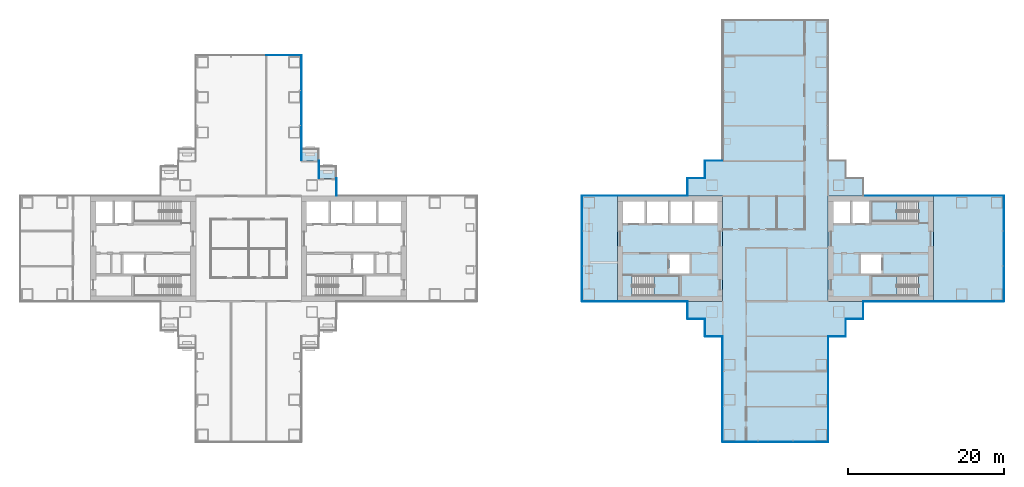
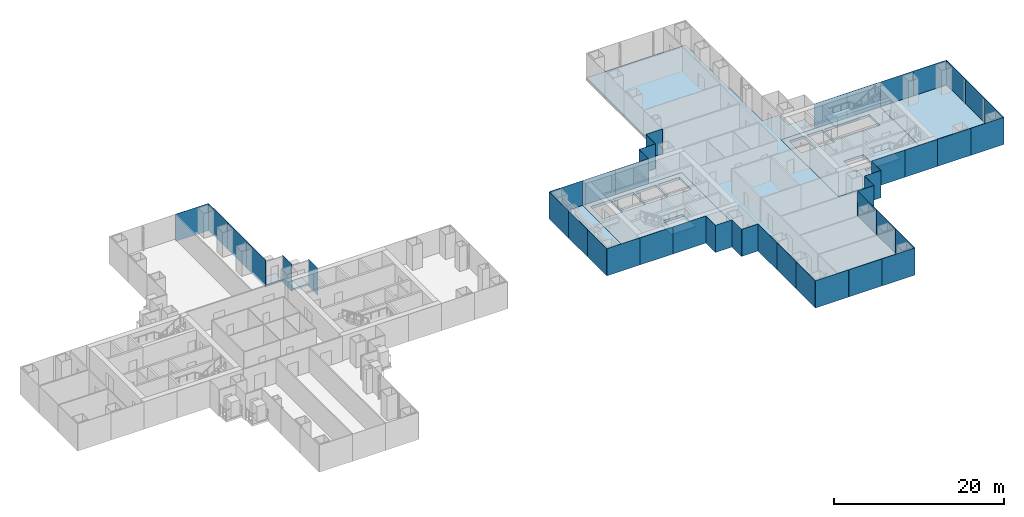
# One storey, part 11 of 21: 47 plates, 10 slabs, 22 elements without a shape of their own.
"""IFC4 building model written with IfcOpenShell, lengths in metres."""

from ifc_helpers import new_model, si_unit, direction, frame, origin, origin_2d, place, context, subcontext, project, spatial, polyline, rectangle, outline, extrude, material, layer, layer_set, type_object, element, aggregate, save


model = new_model("IFC4")

# Units and contexts
model_context = context("Model", 3, precision=1e-05, world=origin(), true_north=direction((0.0, 1.0)))
body_context = subcontext(model_context, "Body", "Model", "MODEL_VIEW")
ifc_project = project(units=[si_unit("LENGTHUNIT", "METRE"), si_unit("AREAUNIT", "SQUARE_METRE"), si_unit("VOLUMEUNIT", "CUBIC_METRE"), si_unit("PLANEANGLEUNIT", "RADIAN"), si_unit("MASSUNIT", "GRAM", prefix="KILO")], contexts=[model_context])

# Site, building, storey
site_placement = place(None, origin())
site = spatial("IfcSite", under=ifc_project, at=site_placement, CompositionType="ELEMENT")
building_placement = place(site_placement, origin())
building = spatial("IfcBuilding", under=site, at=building_placement, Name="Shamsa Quay Exchange Towers", CompositionType="ELEMENT")
storey_placement = place(building_placement, frame((0.0, 0.0, 42.0)))
storey = spatial("IfcBuildingStorey", under=building, at=storey_placement, Name="L08", CompositionType="ELEMENT", Elevation=42.0)

# Slabs
ifc_material_1 = material(Name="Precast concrete C40/50", Category="concrete")
ifc_layer_1 = layer(ifc_material_1, 0.25)
ifc_layer_set_1 = layer_set([ifc_layer_1], Name="BALCONY SLAB 250")
slab_type_1 = type_object("IfcSlabType", Name="BALCONY SLAB 250", PredefinedType="FLOOR", material=ifc_layer_set_1)
slab_1_placement = place(storey_placement, frame((0.0, 0.0, -0.25)))
element("IfcSlab", 1, at=slab_1_placement, inside=storey, type_object=slab_type_1, Name="Balcony T1-PKEN L08", PredefinedType="FLOOR", context=body_context, shape_type="SweptSolid", body=[
    extrude(outline(polyline([(-22.5, 9.0), (-24.7119140625, 9.0), (-24.7119140625, 10.550048828125), (-22.5, 10.550048828125), (-22.5, 9.0)])), origin(), (0.0, 0.0, 1.0), 0.25),
])
slab_2_placement = place(storey_placement, frame((0.0, 0.0, -0.25)))
element("IfcSlab", 2, at=slab_2_placement, inside=storey, type_object=slab_type_1, Name="Balcony T1-PKEN L08", PredefinedType="FLOOR", context=body_context, shape_type="SweptSolid", body=[
    extrude(outline(polyline([(-24.75, 11.25), (-26.9619140625, 11.25), (-26.9619140625, 12.800048828125), (-24.75, 12.800048828125), (-24.75, 11.25)])), origin(), (0.0, 0.0, 1.0), 0.25),
])
ifc_material_2 = material(Name="Concrete C50/60", Category="concrete")
ifc_layer_2 = layer(ifc_material_2, 0.35009765625)
ifc_layer_set_2 = layer_set([ifc_layer_2], Name="CORE FLOOR 350 C50/60")
slab_type_2 = type_object("IfcSlabType", Name="CORE FLOOR 350 C50/60", PredefinedType="FLOOR", material=ifc_layer_set_2)
slab_3_placement = place(storey_placement, frame((0.0, 0.0, -0.35009765625)))
element("IfcSlab", 3, at=slab_3_placement, inside=storey, type_object=slab_type_2, Name="Core floor T2A", PredefinedType="FLOOR", context=body_context, shape_type="SweptSolid", body=[
    extrude(outline(polyline([(13.5, -6.75), (27.0, -6.75), (27.0, 6.75), (13.5, 6.75), (13.5, -6.75)]), holes=[polyline([(15.400634765625, -6.050048828125), (15.400634765625, -3.5), (21.5, -3.5), (21.5, -6.050048828125), (15.400634765625, -6.050048828125)]), polyline([(14.199951171875, 3.25), (14.199951171875, 6.050048828125), (17.0, 6.050048828125), (17.0, 3.25), (14.199951171875, 3.25)]), polyline([(17.25, 3.25), (17.25, 6.050048828125), (20.050048828125, 6.050048828125), (20.050048828125, 3.25), (17.25, 3.25)]), polyline([(20.300048828125, 3.25), (20.300048828125, 6.050048828125), (23.10009765625, 6.050048828125), (23.10009765625, 3.25), (20.300048828125, 3.25)]), polyline([(23.35009765625, 3.25), (23.35009765625, 6.050048828125), (26.300048828125, 6.050048828125), (26.300048828125, 3.25), (23.35009765625, 3.25)]), polyline([(20.14990234375, -3.25), (20.14990234375, -0.75), (22.800048828125, -0.75), (22.800048828125, -3.25), (20.14990234375, -3.25)])]), origin(), (0.0, 0.0, 1.0), 0.35009765625),
])
slab_4_placement = place(storey_placement, frame((0.0, 0.0, -0.35009765625)))
element("IfcSlab", 4, at=slab_4_placement, inside=storey, type_object=slab_type_2, Name="Core floor T2B", PredefinedType="FLOOR", context=body_context, shape_type="SweptSolid", body=[
    extrude(outline(polyline([(54.0, -6.75), (54.0, 6.75), (40.5, 6.75), (40.5, -6.75), (54.0, -6.75)]), holes=[polyline([(52.099365234375, -3.5), (52.099365234375, -6.050048828125), (46.0, -6.050048828125), (46.0, -3.5), (52.099365234375, -3.5)]), polyline([(52.099365234375, 6.050048828125), (52.099365234375, 3.5), (46.0, 3.5), (46.0, 6.050048828125), (52.099365234375, 6.050048828125)]), polyline([(45.75, 3.25), (43.60009765625, 3.25), (43.60009765625, 6.050048828125), (45.75, 6.050048828125), (45.75, 3.25)]), polyline([(43.35009765625, 3.25), (41.199951171875, 3.25), (41.199951171875, 6.050048828125), (43.35009765625, 6.050048828125), (43.35009765625, 3.25)]), polyline([(47.35009765625, -3.25), (44.699951171875, -3.25), (44.699951171875, -0.75), (47.35009765625, -0.75), (47.35009765625, -3.25)])]), origin(), (0.0, 0.0, 1.0), 0.35009765625),
])

# Stair, slab
ifc_material_3 = material(Name="Concrete C40/50", Category="concrete")
stair_type = type_object("IfcStairType", Name="EXIT STAIR 22 RISERS 177 MM", PredefinedType="HALF_TURN_STAIR", material=ifc_material_3)
stair_1_placement = place(storey_placement, origin())
stair_1 = element("IfcStair", 5, at=stair_1_placement, inside=storey, type_object=stair_type, Name="L08 Exit stair ST4", PredefinedType="HALF_TURN_STAIR")
ifc_layer_3 = layer(ifc_material_3, 0.199951171875)
ifc_layer_set_3 = layer_set([ifc_layer_3], Name="CORE STAIR LANDING")
slab_type_3 = type_object("IfcSlabType", Name="CORE STAIR LANDING", PredefinedType="LANDING", material=ifc_layer_set_3)
slab_5_placement = place(storey_placement, frame((0.0, 0.0, 1.75)))
slab_5 = element("IfcSlab", 6, at=slab_5_placement, type_object=slab_type_3, Name="ST4 landing 1", PredefinedType="LANDING", context=body_context, shape_type="SweptSolid", body=[
    extrude(outline(polyline([(18.199951171875, -6.050048828125), (21.5, -6.050048828125), (21.5, -3.5), (18.199951171875, -3.5), (18.199951171875, -6.050048828125)])), origin(), (0.0, 0.0, 1.0), 0.199951171875),
])
aggregate(stair_1, [slab_5])

stair_2_placement = place(storey_placement, origin())
stair_2 = element("IfcStair", 7, at=stair_2_placement, inside=storey, type_object=stair_type, Name="L08 Exit stair ST5", PredefinedType="HALF_TURN_STAIR")
slab_6_placement = place(storey_placement, frame((0.0, 0.0, 1.75)))
slab_6 = element("IfcSlab", 8, at=slab_6_placement, type_object=slab_type_3, Name="ST5 landing 1", PredefinedType="LANDING", context=body_context, shape_type="SweptSolid", body=[
    extrude(outline(polyline([(49.300048828125, -3.5), (46.0, -3.5), (46.0, -6.050048828125), (49.300048828125, -6.050048828125), (49.300048828125, -3.5)])), origin(), (0.0, 0.0, 1.0), 0.199951171875),
])
aggregate(stair_2, [slab_6])

stair_3_placement = place(storey_placement, origin())
stair_3 = element("IfcStair", 9, at=stair_3_placement, inside=storey, type_object=stair_type, Name="L08 Exit stair ST6", PredefinedType="HALF_TURN_STAIR")
slab_7_placement = place(storey_placement, frame((0.0, 0.0, 1.75)))
slab_7 = element("IfcSlab", 10, at=slab_7_placement, type_object=slab_type_3, Name="ST6 landing 1", PredefinedType="LANDING", context=body_context, shape_type="SweptSolid", body=[
    extrude(outline(polyline([(49.300048828125, 6.050048828125), (46.0, 6.050048828125), (46.0, 3.5), (49.300048828125, 3.5), (49.300048828125, 6.050048828125)])), origin(), (0.0, 0.0, 1.0), 0.199951171875),
])
aggregate(stair_3, [slab_7])

# Curtain wall, plates
ifc_material_4 = material(Name="Aluminium EN AW-6063 T6, black anodised", Category="aluminium")
ifc_layer_4 = layer(ifc_material_4, 0.280029296875)
ifc_layer_set_4 = layer_set([ifc_layer_4], Name="CW-1 UNITISED VISION GLASS")
curtain_wall_type_1 = type_object("IfcCurtainWallType", Name="CW-1 UNITISED VISION GLASS", PredefinedType="NOTDEFINED", material=ifc_layer_set_4)
curtain_wall_1_placement = place(storey_placement, origin())
curtain_wall_1 = element("IfcCurtainWall", 11, at=curtain_wall_1_placement, inside=storey, type_object=curtain_wall_type_1, Name="CW1 T1-FLK-V+E L08", PredefinedType="NOTDEFINED")
ifc_material_5 = material(Name="Glass, laminated, dark tinted", Category="glass")
ifc_layer_5 = layer(ifc_material_5, 0.0400390625)
ifc_layer_set_5 = layer_set([ifc_layer_5], Name="CW-1 VISION GLASS 40")
plate_type_1 = type_object("IfcPlateType", Name="CW-1 VISION GLASS 40", PredefinedType="CURTAIN_PANEL", material=ifc_layer_set_5)
plate_1_placement = place(storey_placement, frame((-26.97998046875, 13.529052734375, -0.349853515625), z_axis=(0.0, 0.0, 1.0), x_axis=(0.0, 1.0, 0.0)))
plate_1 = element("IfcPlate", 12, at=plate_1_placement, type_object=plate_type_1, Name="CW1 glass panel", PredefinedType="CURTAIN_PANEL", context=body_context, shape_type="SweptSolid", body=[
    extrude(rectangle(XDim=4.482421875, YDim=0.0400390625, at=origin_2d()), origin(), (0.0, 0.0, 1.0), 3.89990234375),
])
plate_2_placement = place(storey_placement, frame((-26.97998046875, 18.01904296875, -0.349853515625), z_axis=(0.0, 0.0, 1.0), x_axis=(0.0, 1.0, 0.0)))
plate_2 = element("IfcPlate", 13, at=plate_2_placement, type_object=plate_type_1, Name="CW1 glass panel", PredefinedType="CURTAIN_PANEL", context=body_context, shape_type="SweptSolid", body=[
    extrude(rectangle(XDim=4.477294921875, YDim=0.0400390625, at=origin_2d()), origin(), (0.0, 0.0, 1.0), 3.89990234375),
])
plate_3_placement = place(storey_placement, frame((-26.97998046875, 22.5087890625, -0.349853515625), z_axis=(0.0, 0.0, 1.0), x_axis=(0.0, 1.0, 0.0)))
plate_3 = element("IfcPlate", 14, at=plate_3_placement, type_object=plate_type_1, Name="CW1 glass panel", PredefinedType="CURTAIN_PANEL", context=body_context, shape_type="SweptSolid", body=[
    extrude(rectangle(XDim=4.482421875, YDim=0.0400390625, at=origin_2d()), origin(), (0.0, 0.0, 1.0), 3.89990234375),
])
aggregate(curtain_wall_1, [plate_1, plate_2, plate_3])

# Curtain wall, plate
curtain_wall_2_placement = place(storey_placement, origin())
curtain_wall_2 = element("IfcCurtainWall", 15, at=curtain_wall_2_placement, inside=storey, type_object=curtain_wall_type_1, Name="CW1 T1-END-V+ L08", PredefinedType="NOTDEFINED")
plate_4_placement = place(storey_placement, frame((-29.24755859375, 24.77001953125, -0.349853515625), z_axis=(0.0, 0.0, 1.0), x_axis=(-1.0, 0.0, 0.0)))
plate_4 = element("IfcPlate", 16, at=plate_4_placement, type_object=plate_type_1, Name="CW1 glass panel", PredefinedType="CURTAIN_PANEL", context=body_context, shape_type="SweptSolid", body=[
    extrude(rectangle(XDim=4.4951171875, YDim=0.0400390625, at=origin_2d()), origin(), (0.0, 0.0, 1.0), 3.89990234375),
])
aggregate(curtain_wall_2, [plate_4])

# Curtain wall, plates
curtain_wall_3_placement = place(storey_placement, origin())
curtain_wall_3 = element("IfcCurtainWall", 17, at=curtain_wall_3_placement, inside=storey, type_object=curtain_wall_type_1, Name="CW1 T2-FLK-V-W L08", PredefinedType="NOTDEFINED")
plate_5_placement = place(storey_placement, frame((56.24755859375, -6.77001953125, -0.349853515625)))
plate_5 = element("IfcPlate", 18, at=plate_5_placement, type_object=plate_type_1, Name="CW1 glass panel", PredefinedType="CURTAIN_PANEL", context=body_context, shape_type="SweptSolid", body=[
    extrude(rectangle(XDim=4.4951171875, YDim=0.0400390625, at=origin_2d()), origin(), (0.0, 0.0, 1.0), 3.89990234375),
])
plate_6_placement = place(storey_placement, frame((60.75244140625, -6.77001953125, -0.349853515625)))
plate_6 = element("IfcPlate", 19, at=plate_6_placement, type_object=plate_type_1, Name="CW1 glass panel", PredefinedType="CURTAIN_PANEL", context=body_context, shape_type="SweptSolid", body=[
    extrude(rectangle(XDim=4.4951171875, YDim=0.0400390625, at=origin_2d()), origin(), (0.0, 0.0, 1.0), 3.89990234375),
])
aggregate(curtain_wall_3, [plate_5, plate_6])

curtain_wall_4_placement = place(storey_placement, origin())
curtain_wall_4 = element("IfcCurtainWall", 20, at=curtain_wall_4_placement, inside=storey, type_object=curtain_wall_type_1, Name="CW1 T2-END-V- L08", PredefinedType="NOTDEFINED")
plate_7_placement = place(storey_placement, frame((63.02001953125, -4.50244140625, -0.349853515625), z_axis=(0.0, 0.0, 1.0), x_axis=(0.0, 1.0, 0.0)))
plate_7 = element("IfcPlate", 21, at=plate_7_placement, type_object=plate_type_1, Name="CW1 glass panel", PredefinedType="CURTAIN_PANEL", context=body_context, shape_type="SweptSolid", body=[
    extrude(rectangle(XDim=4.4951171875, YDim=0.0400390625, at=origin_2d()), origin(), (0.0, 0.0, 1.0), 3.89990234375),
])
plate_8_placement = place(storey_placement, frame((63.02001953125, 0.0, -0.349853515625), z_axis=(0.0, 0.0, 1.0), x_axis=(0.0, 1.0, 0.0)))
plate_8 = element("IfcPlate", 22, at=plate_8_placement, type_object=plate_type_1, Name="CW1 glass panel", PredefinedType="CURTAIN_PANEL", context=body_context, shape_type="SweptSolid", body=[
    extrude(rectangle(XDim=4.489990234375, YDim=0.0400390625, at=origin_2d()), origin(), (0.0, 0.0, 1.0), 3.89990234375),
])
plate_9_placement = place(storey_placement, frame((63.02001953125, 4.50244140625, -0.349853515625), z_axis=(0.0, 0.0, 1.0), x_axis=(0.0, 1.0, 0.0)))
plate_9 = element("IfcPlate", 23, at=plate_9_placement, type_object=plate_type_1, Name="CW1 glass panel", PredefinedType="CURTAIN_PANEL", context=body_context, shape_type="SweptSolid", body=[
    extrude(rectangle(XDim=4.4951171875, YDim=0.0400390625, at=origin_2d()), origin(), (0.0, 0.0, 1.0), 3.89990234375),
])
aggregate(curtain_wall_4, [plate_7, plate_8, plate_9])

curtain_wall_5_placement = place(storey_placement, origin())
curtain_wall_5 = element("IfcCurtainWall", 24, at=curtain_wall_5_placement, inside=storey, type_object=curtain_wall_type_1, Name="CW1 T2-FLK-V-E L08", PredefinedType="NOTDEFINED")
plate_10_placement = place(storey_placement, frame((60.75244140625, 6.77001953125, -0.349853515625), z_axis=(0.0, 0.0, 1.0), x_axis=(-1.0, 0.0, 0.0)))
plate_10 = element("IfcPlate", 25, at=plate_10_placement, type_object=plate_type_1, Name="CW1 glass panel", PredefinedType="CURTAIN_PANEL", context=body_context, shape_type="SweptSolid", body=[
    extrude(rectangle(XDim=4.4951171875, YDim=0.0400390625, at=origin_2d()), origin(), (0.0, 0.0, 1.0), 3.89990234375),
])
plate_11_placement = place(storey_placement, frame((56.24755859375, 6.77001953125, -0.349853515625), z_axis=(0.0, 0.0, 1.0), x_axis=(-1.0, 0.0, 0.0)))
plate_11 = element("IfcPlate", 26, at=plate_11_placement, type_object=plate_type_1, Name="CW1 glass panel", PredefinedType="CURTAIN_PANEL", context=body_context, shape_type="SweptSolid", body=[
    extrude(rectangle(XDim=4.4951171875, YDim=0.0400390625, at=origin_2d()), origin(), (0.0, 0.0, 1.0), 3.89990234375),
])
aggregate(curtain_wall_5, [plate_10, plate_11])

# Curtain wall, plate
curtain_wall_6_placement = place(storey_placement, origin())
curtain_wall_6 = element("IfcCurtainWall", 27, at=curtain_wall_6_placement, inside=storey, type_object=curtain_wall_type_1, Name="CW1 T2-FLK-V+E L08", PredefinedType="NOTDEFINED")
plate_12_placement = place(storey_placement, frame((11.25, 6.77001953125, -0.349853515625), z_axis=(0.0, 0.0, 1.0), x_axis=(-1.0, 0.0, 0.0)))
plate_12 = element("IfcPlate", 28, at=plate_12_placement, type_object=plate_type_1, Name="CW1 glass panel", PredefinedType="CURTAIN_PANEL", context=body_context, shape_type="SweptSolid", body=[
    extrude(rectangle(XDim=4.5, YDim=0.0400390625, at=origin_2d()), origin(), (0.0, 0.0, 1.0), 3.89990234375),
])
aggregate(curtain_wall_6, [plate_12])

# Curtain wall, plates
curtain_wall_7_placement = place(storey_placement, origin())
curtain_wall_7 = element("IfcCurtainWall", 29, at=curtain_wall_7_placement, inside=storey, type_object=curtain_wall_type_1, Name="CW1 T2-END-V+ L08", PredefinedType="NOTDEFINED")
plate_13_placement = place(storey_placement, frame((8.97998046875, 4.50244140625, -0.349853515625), z_axis=(0.0, 0.0, 1.0), x_axis=(0.0, -1.0, 0.0)))
plate_13 = element("IfcPlate", 30, at=plate_13_placement, type_object=plate_type_1, Name="CW1 glass panel", PredefinedType="CURTAIN_PANEL", context=body_context, shape_type="SweptSolid", body=[
    extrude(rectangle(XDim=4.4951171875, YDim=0.0400390625, at=origin_2d()), origin(), (0.0, 0.0, 1.0), 3.89990234375),
])
plate_14_placement = place(storey_placement, frame((8.97998046875, 0.0, -0.349853515625), z_axis=(0.0, 0.0, 1.0), x_axis=(0.0, -1.0, 0.0)))
plate_14 = element("IfcPlate", 31, at=plate_14_placement, type_object=plate_type_1, Name="CW1 glass panel", PredefinedType="CURTAIN_PANEL", context=body_context, shape_type="SweptSolid", body=[
    extrude(rectangle(XDim=4.489990234375, YDim=0.0400390625, at=origin_2d()), origin(), (0.0, 0.0, 1.0), 3.89990234375),
])
plate_15_placement = place(storey_placement, frame((8.97998046875, -4.50244140625, -0.349853515625), z_axis=(0.0, 0.0, 1.0), x_axis=(0.0, -1.0, 0.0)))
plate_15 = element("IfcPlate", 32, at=plate_15_placement, type_object=plate_type_1, Name="CW1 glass panel", PredefinedType="CURTAIN_PANEL", context=body_context, shape_type="SweptSolid", body=[
    extrude(rectangle(XDim=4.4951171875, YDim=0.0400390625, at=origin_2d()), origin(), (0.0, 0.0, 1.0), 3.89990234375),
])
aggregate(curtain_wall_7, [plate_13, plate_14, plate_15])

# Curtain wall, plate
curtain_wall_8_placement = place(storey_placement, origin())
curtain_wall_8 = element("IfcCurtainWall", 33, at=curtain_wall_8_placement, inside=storey, type_object=curtain_wall_type_1, Name="CW1 T2-FLK-V+W L08", PredefinedType="NOTDEFINED")
plate_16_placement = place(storey_placement, frame((11.25, -6.77001953125, -0.349853515625)))
plate_16 = element("IfcPlate", 34, at=plate_16_placement, type_object=plate_type_1, Name="CW1 glass panel", PredefinedType="CURTAIN_PANEL", context=body_context, shape_type="SweptSolid", body=[
    extrude(rectangle(XDim=4.5, YDim=0.0400390625, at=origin_2d()), origin(), (0.0, 0.0, 1.0), 3.89990234375),
])
aggregate(curtain_wall_8, [plate_16])

# Curtain wall, plates
curtain_wall_9_placement = place(storey_placement, origin())
curtain_wall_9 = element("IfcCurtainWall", 35, at=curtain_wall_9_placement, inside=storey, type_object=curtain_wall_type_1, Name="CW1 T2-FLK-U-N L08", PredefinedType="NOTDEFINED")
plate_17_placement = place(storey_placement, frame((26.97998046875, -13.529052734375, -0.349853515625), z_axis=(0.0, 0.0, 1.0), x_axis=(0.0, -1.0, 0.0)))
plate_17 = element("IfcPlate", 36, at=plate_17_placement, type_object=plate_type_1, Name="CW1 glass panel", PredefinedType="CURTAIN_PANEL", context=body_context, shape_type="SweptSolid", body=[
    extrude(rectangle(XDim=4.482421875, YDim=0.0400390625, at=origin_2d()), origin(), (0.0, 0.0, 1.0), 3.89990234375),
])
plate_18_placement = place(storey_placement, frame((26.97998046875, -18.01904296875, -0.349853515625), z_axis=(0.0, 0.0, 1.0), x_axis=(0.0, -1.0, 0.0)))
plate_18 = element("IfcPlate", 37, at=plate_18_placement, type_object=plate_type_1, Name="CW1 glass panel", PredefinedType="CURTAIN_PANEL", context=body_context, shape_type="SweptSolid", body=[
    extrude(rectangle(XDim=4.477294921875, YDim=0.0400390625, at=origin_2d()), origin(), (0.0, 0.0, 1.0), 3.89990234375),
])
plate_19_placement = place(storey_placement, frame((26.97998046875, -22.5087890625, -0.349853515625), z_axis=(0.0, 0.0, 1.0), x_axis=(0.0, -1.0, 0.0)))
plate_19 = element("IfcPlate", 38, at=plate_19_placement, type_object=plate_type_1, Name="CW1 glass panel", PredefinedType="CURTAIN_PANEL", context=body_context, shape_type="SweptSolid", body=[
    extrude(rectangle(XDim=4.482421875, YDim=0.0400390625, at=origin_2d()), origin(), (0.0, 0.0, 1.0), 3.89990234375),
])
aggregate(curtain_wall_9, [plate_17, plate_18, plate_19])

curtain_wall_10_placement = place(storey_placement, origin())
curtain_wall_10 = element("IfcCurtainWall", 39, at=curtain_wall_10_placement, inside=storey, type_object=curtain_wall_type_1, Name="CW1 T2-END-U- L08", PredefinedType="NOTDEFINED")
plate_20_placement = place(storey_placement, frame((29.24755859375, -24.77001953125, -0.349853515625)))
plate_20 = element("IfcPlate", 40, at=plate_20_placement, type_object=plate_type_1, Name="CW1 glass panel", PredefinedType="CURTAIN_PANEL", context=body_context, shape_type="SweptSolid", body=[
    extrude(rectangle(XDim=4.4951171875, YDim=0.0400390625, at=origin_2d()), origin(), (0.0, 0.0, 1.0), 3.89990234375),
])
plate_21_placement = place(storey_placement, frame((33.75, -24.77001953125, -0.349853515625)))
plate_21 = element("IfcPlate", 41, at=plate_21_placement, type_object=plate_type_1, Name="CW1 glass panel", PredefinedType="CURTAIN_PANEL", context=body_context, shape_type="SweptSolid", body=[
    extrude(rectangle(XDim=4.489990234375, YDim=0.0400390625, at=origin_2d()), origin(), (0.0, 0.0, 1.0), 3.89990234375),
])
plate_22_placement = place(storey_placement, frame((38.25244140625, -24.77001953125, -0.349853515625)))
plate_22 = element("IfcPlate", 42, at=plate_22_placement, type_object=plate_type_1, Name="CW1 glass panel", PredefinedType="CURTAIN_PANEL", context=body_context, shape_type="SweptSolid", body=[
    extrude(rectangle(XDim=4.4951171875, YDim=0.0400390625, at=origin_2d()), origin(), (0.0, 0.0, 1.0), 3.89990234375),
])
aggregate(curtain_wall_10, [plate_20, plate_21, plate_22])

curtain_wall_11_placement = place(storey_placement, origin())
curtain_wall_11 = element("IfcCurtainWall", 43, at=curtain_wall_11_placement, inside=storey, type_object=curtain_wall_type_1, Name="CW1 T2-FLK-U-S L08", PredefinedType="NOTDEFINED")
plate_23_placement = place(storey_placement, frame((40.52001953125, -22.50244140625, -0.349853515625), z_axis=(0.0, 0.0, 1.0), x_axis=(0.0, 1.0, 0.0)))
plate_23 = element("IfcPlate", 44, at=plate_23_placement, type_object=plate_type_1, Name="CW1 glass panel", PredefinedType="CURTAIN_PANEL", context=body_context, shape_type="SweptSolid", body=[
    extrude(rectangle(XDim=4.4951171875, YDim=0.0400390625, at=origin_2d()), origin(), (0.0, 0.0, 1.0), 3.89990234375),
])
plate_24_placement = place(storey_placement, frame((40.52001953125, -18.0, -0.349853515625), z_axis=(0.0, 0.0, 1.0), x_axis=(0.0, 1.0, 0.0)))
plate_24 = element("IfcPlate", 45, at=plate_24_placement, type_object=plate_type_1, Name="CW1 glass panel", PredefinedType="CURTAIN_PANEL", context=body_context, shape_type="SweptSolid", body=[
    extrude(rectangle(XDim=4.489990234375, YDim=0.0400390625, at=origin_2d()), origin(), (0.0, 0.0, 1.0), 3.89990234375),
])
plate_25_placement = place(storey_placement, frame((40.52001953125, -13.49755859375, -0.349853515625), z_axis=(0.0, 0.0, 1.0), x_axis=(0.0, 1.0, 0.0)))
plate_25 = element("IfcPlate", 46, at=plate_25_placement, type_object=plate_type_1, Name="CW1 glass panel", PredefinedType="CURTAIN_PANEL", context=body_context, shape_type="SweptSolid", body=[
    extrude(rectangle(XDim=4.4951171875, YDim=0.0400390625, at=origin_2d()), origin(), (0.0, 0.0, 1.0), 3.89990234375),
])
aggregate(curtain_wall_11, [plate_23, plate_24, plate_25])

ifc_layer_6 = layer(ifc_material_4, 0.303955078125)
ifc_layer_set_6 = layer_set([ifc_layer_6], Name="CW-2 UNITISED OPAQUE SPANDREL GLASS")
curtain_wall_type_2 = type_object("IfcCurtainWallType", Name="CW-2 UNITISED OPAQUE SPANDREL GLASS", PredefinedType="NOTDEFINED", material=ifc_layer_set_6)
curtain_wall_12_placement = place(storey_placement, origin())
curtain_wall_12 = element("IfcCurtainWall", 47, at=curtain_wall_12_placement, inside=storey, type_object=curtain_wall_type_2, Name="CW2 T2-FLK-V-W L08", PredefinedType="NOTDEFINED")
ifc_material_6 = material(Name="Glass, laminated, black enamelled opaque", Category="glass")
ifc_layer_7 = layer(ifc_material_6, 0.0439453125)
ifc_layer_set_7 = layer_set([ifc_layer_7], Name="CW-2 SPANDREL GLASS 44")
plate_type_2 = type_object("IfcPlateType", Name="CW-2 SPANDREL GLASS 44", PredefinedType="CURTAIN_PANEL", material=ifc_layer_set_7)
plate_26_placement = place(storey_placement, frame((47.27587890625, -6.77197265625, -0.349853515625)))
plate_26 = element("IfcPlate", 48, at=plate_26_placement, type_object=plate_type_2, Name="CW2 glass panel", PredefinedType="CURTAIN_PANEL", context=body_context, shape_type="SweptSolid", body=[
    extrude(rectangle(XDim=4.47607421875, YDim=0.0439453125, at=origin_2d()), origin(), (0.0, 0.0, 1.0), 3.89990234375),
])
plate_27_placement = place(storey_placement, frame((51.761962890625, -6.77197265625, -0.349853515625)))
plate_27 = element("IfcPlate", 49, at=plate_27_placement, type_object=plate_type_2, Name="CW2 glass panel", PredefinedType="CURTAIN_PANEL", context=body_context, shape_type="SweptSolid", body=[
    extrude(rectangle(XDim=4.47607421875, YDim=0.0439453125, at=origin_2d()), origin(), (0.0, 0.0, 1.0), 3.89990234375),
])
aggregate(curtain_wall_12, [plate_26, plate_27])

curtain_wall_13_placement = place(storey_placement, origin())
curtain_wall_13 = element("IfcCurtainWall", 50, at=curtain_wall_13_placement, inside=storey, type_object=curtain_wall_type_2, Name="CW2 T2-FLK-V-E L08", PredefinedType="NOTDEFINED")
plate_28_placement = place(storey_placement, frame((51.75244140625, 6.77197265625, -0.349853515625), z_axis=(0.0, 0.0, 1.0), x_axis=(-1.0, 0.0, 0.0)))
plate_28 = element("IfcPlate", 51, at=plate_28_placement, type_object=plate_type_2, Name="CW2 glass panel", PredefinedType="CURTAIN_PANEL", context=body_context, shape_type="SweptSolid", body=[
    extrude(rectangle(XDim=4.4951171875, YDim=0.0439453125, at=origin_2d()), origin(), (0.0, 0.0, 1.0), 3.89990234375),
])
plate_29_placement = place(storey_placement, frame((47.24755859375, 6.77197265625, -0.349853515625), z_axis=(0.0, 0.0, 1.0), x_axis=(-1.0, 0.0, 0.0)))
plate_29 = element("IfcPlate", 52, at=plate_29_placement, type_object=plate_type_2, Name="CW2 glass panel", PredefinedType="CURTAIN_PANEL", context=body_context, shape_type="SweptSolid", body=[
    extrude(rectangle(XDim=4.4951171875, YDim=0.0439453125, at=origin_2d()), origin(), (0.0, 0.0, 1.0), 3.89990234375),
])
aggregate(curtain_wall_13, [plate_28, plate_29])

curtain_wall_14_placement = place(storey_placement, origin())
curtain_wall_14 = element("IfcCurtainWall", 53, at=curtain_wall_14_placement, inside=storey, type_object=curtain_wall_type_2, Name="CW2 T2-FLK-V+E L08", PredefinedType="NOTDEFINED")
plate_30_placement = place(storey_placement, frame((20.22412109375, 6.77197265625, -0.349853515625), z_axis=(0.0, 0.0, 1.0), x_axis=(-1.0, 0.0, 0.0)))
plate_30 = element("IfcPlate", 54, at=plate_30_placement, type_object=plate_type_2, Name="CW2 glass panel", PredefinedType="CURTAIN_PANEL", context=body_context, shape_type="SweptSolid", body=[
    extrude(rectangle(XDim=4.47607421875, YDim=0.0439453125, at=origin_2d()), origin(), (0.0, 0.0, 1.0), 3.89990234375),
])
plate_31_placement = place(storey_placement, frame((15.738037109375, 6.77197265625, -0.349853515625), z_axis=(0.0, 0.0, 1.0), x_axis=(-1.0, 0.0, 0.0)))
plate_31 = element("IfcPlate", 55, at=plate_31_placement, type_object=plate_type_2, Name="CW2 glass panel", PredefinedType="CURTAIN_PANEL", context=body_context, shape_type="SweptSolid", body=[
    extrude(rectangle(XDim=4.47607421875, YDim=0.0439453125, at=origin_2d()), origin(), (0.0, 0.0, 1.0), 3.89990234375),
])
aggregate(curtain_wall_14, [plate_30, plate_31])

curtain_wall_15_placement = place(storey_placement, origin())
curtain_wall_15 = element("IfcCurtainWall", 56, at=curtain_wall_15_placement, inside=storey, type_object=curtain_wall_type_2, Name="CW2 T2-FLK-V+W L08", PredefinedType="NOTDEFINED")
plate_32_placement = place(storey_placement, frame((15.74755859375, -6.77197265625, -0.349853515625)))
plate_32 = element("IfcPlate", 57, at=plate_32_placement, type_object=plate_type_2, Name="CW2 glass panel", PredefinedType="CURTAIN_PANEL", context=body_context, shape_type="SweptSolid", body=[
    extrude(rectangle(XDim=4.4951171875, YDim=0.0439453125, at=origin_2d()), origin(), (0.0, 0.0, 1.0), 3.89990234375),
])
plate_33_placement = place(storey_placement, frame((20.25244140625, -6.77197265625, -0.349853515625)))
plate_33 = element("IfcPlate", 58, at=plate_33_placement, type_object=plate_type_2, Name="CW2 glass panel", PredefinedType="CURTAIN_PANEL", context=body_context, shape_type="SweptSolid", body=[
    extrude(rectangle(XDim=4.4951171875, YDim=0.0439453125, at=origin_2d()), origin(), (0.0, 0.0, 1.0), 3.89990234375),
])
aggregate(curtain_wall_15, [plate_32, plate_33])

ifc_layer_8 = layer(ifc_material_4, 0.256103515625)
ifc_layer_set_8 = layer_set([ifc_layer_8], Name="CW-4 POCKET SERRATED GLAZING")
curtain_wall_type_3 = type_object("IfcCurtainWallType", Name="CW-4 POCKET SERRATED GLAZING", PredefinedType="NOTDEFINED", material=ifc_layer_set_8)
curtain_wall_16_placement = place(storey_placement, origin())
curtain_wall_16 = element("IfcCurtainWall", 59, at=curtain_wall_16_placement, inside=storey, type_object=curtain_wall_type_3, Name="CW4 PKEN L08", PredefinedType="NOTDEFINED")
ifc_layer_9 = layer(ifc_material_5, 0.035888671875)
ifc_layer_set_9 = layer_set([ifc_layer_9], Name="CW-4 POCKET GLASS 36")
plate_type_3 = type_object("IfcPlateType", Name="CW-4 POCKET GLASS 36", PredefinedType="CURTAIN_PANEL", material=ifc_layer_set_9)
plate_34_placement = place(storey_placement, frame((-22.48193359375, 7.89794921875, -0.349853515625), z_axis=(0.0, 0.0, 1.0), x_axis=(0.0, 1.0, 0.0)))
plate_34 = element("IfcPlate", 60, at=plate_34_placement, type_object=plate_type_3, Name="CW4 glass panel", PredefinedType="CURTAIN_PANEL", context=body_context, shape_type="SweptSolid", body=[
    extrude(rectangle(XDim=2.2041015625, YDim=0.035888671875, at=origin_2d()), origin(), (0.0, 0.0, 1.0), 3.89990234375),
])
plate_35_placement = place(storey_placement, frame((-24.73193359375, 10.14404296875, -0.349853515625), z_axis=(0.0, 0.0, 1.0), x_axis=(0.0, 1.0, 0.0)))
plate_35 = element("IfcPlate", 61, at=plate_35_placement, type_object=plate_type_3, Name="CW4 glass panel", PredefinedType="CURTAIN_PANEL", context=body_context, shape_type="SweptSolid", body=[
    extrude(rectangle(XDim=2.2119140625, YDim=0.035888671875, at=origin_2d()), origin(), (0.0, 0.0, 1.0), 3.89990234375),
])
aggregate(curtain_wall_16, [plate_34, plate_35])

curtain_wall_17_placement = place(storey_placement, origin())
curtain_wall_17 = element("IfcCurtainWall", 62, at=curtain_wall_17_placement, inside=storey, type_object=curtain_wall_type_3, Name="CW4 PKWS L08", PredefinedType="NOTDEFINED")
plate_36_placement = place(storey_placement, frame((43.89404296875, -9.01806640625, -0.349853515625)))
plate_36 = element("IfcPlate", 63, at=plate_36_placement, type_object=plate_type_3, Name="CW4 glass panel", PredefinedType="CURTAIN_PANEL", context=body_context, shape_type="SweptSolid", body=[
    extrude(rectangle(XDim=2.2119140625, YDim=0.035888671875, at=origin_2d()), origin(), (0.0, 0.0, 1.0), 3.89990234375),
])
plate_37_placement = place(storey_placement, frame((45.01806640625, -7.875, -0.349853515625), z_axis=(0.0, 0.0, 1.0), x_axis=(0.0, 1.0, 0.0)))
plate_37 = element("IfcPlate", 64, at=plate_37_placement, type_object=plate_type_3, Name="CW4 glass panel", PredefinedType="CURTAIN_PANEL", context=body_context, shape_type="SweptSolid", body=[
    extrude(rectangle(XDim=2.25, YDim=0.035888671875, at=origin_2d()), origin(), (0.0, 0.0, 1.0), 3.89990234375),
])
plate_38_placement = place(storey_placement, frame((41.64599609375, -11.26806640625, -0.349853515625)))
plate_38 = element("IfcPlate", 65, at=plate_38_placement, type_object=plate_type_3, Name="CW4 glass panel", PredefinedType="CURTAIN_PANEL", context=body_context, shape_type="SweptSolid", body=[
    extrude(rectangle(XDim=2.2080078125, YDim=0.035888671875, at=origin_2d()), origin(), (0.0, 0.0, 1.0), 3.89990234375),
])
plate_39_placement = place(storey_placement, frame((42.76806640625, -10.125, -0.349853515625), z_axis=(0.0, 0.0, 1.0), x_axis=(0.0, 1.0, 0.0)))
plate_39 = element("IfcPlate", 66, at=plate_39_placement, type_object=plate_type_3, Name="CW4 glass panel", PredefinedType="CURTAIN_PANEL", context=body_context, shape_type="SweptSolid", body=[
    extrude(rectangle(XDim=2.25, YDim=0.035888671875, at=origin_2d()), origin(), (0.0, 0.0, 1.0), 3.89990234375),
])
aggregate(curtain_wall_17, [plate_36, plate_37, plate_38, plate_39])

curtain_wall_18_placement = place(storey_placement, origin())
curtain_wall_18 = element("IfcCurtainWall", 67, at=curtain_wall_18_placement, inside=storey, type_object=curtain_wall_type_3, Name="CW4 PKEN L08", PredefinedType="NOTDEFINED")
plate_40_placement = place(storey_placement, frame((25.85400390625, 11.26806640625, -0.349853515625), z_axis=(0.0, 0.0, 1.0), x_axis=(-1.0, 0.0, 0.0)))
plate_40 = element("IfcPlate", 68, at=plate_40_placement, type_object=plate_type_3, Name="CW4 glass panel", PredefinedType="CURTAIN_PANEL", context=body_context, shape_type="SweptSolid", body=[
    extrude(rectangle(XDim=2.2080078125, YDim=0.035888671875, at=origin_2d()), origin(), (0.0, 0.0, 1.0), 3.89990234375),
])
plate_41_placement = place(storey_placement, frame((24.73193359375, 10.125, -0.349853515625), z_axis=(0.0, 0.0, 1.0), x_axis=(0.0, -1.0, 0.0)))
plate_41 = element("IfcPlate", 69, at=plate_41_placement, type_object=plate_type_3, Name="CW4 glass panel", PredefinedType="CURTAIN_PANEL", context=body_context, shape_type="SweptSolid", body=[
    extrude(rectangle(XDim=2.25, YDim=0.035888671875, at=origin_2d()), origin(), (0.0, 0.0, 1.0), 3.89990234375),
])
plate_42_placement = place(storey_placement, frame((23.60595703125, 9.01806640625, -0.349853515625), z_axis=(0.0, 0.0, 1.0), x_axis=(-1.0, 0.0, 0.0)))
plate_42 = element("IfcPlate", 70, at=plate_42_placement, type_object=plate_type_3, Name="CW4 glass panel", PredefinedType="CURTAIN_PANEL", context=body_context, shape_type="SweptSolid", body=[
    extrude(rectangle(XDim=2.2119140625, YDim=0.035888671875, at=origin_2d()), origin(), (0.0, 0.0, 1.0), 3.89990234375),
])
plate_43_placement = place(storey_placement, frame((22.48193359375, 7.875, -0.349853515625), z_axis=(0.0, 0.0, 1.0), x_axis=(0.0, -1.0, 0.0)))
plate_43 = element("IfcPlate", 71, at=plate_43_placement, type_object=plate_type_3, Name="CW4 glass panel", PredefinedType="CURTAIN_PANEL", context=body_context, shape_type="SweptSolid", body=[
    extrude(rectangle(XDim=2.25, YDim=0.035888671875, at=origin_2d()), origin(), (0.0, 0.0, 1.0), 3.89990234375),
])
aggregate(curtain_wall_18, [plate_40, plate_41, plate_42, plate_43])

curtain_wall_19_placement = place(storey_placement, origin())
curtain_wall_19 = element("IfcCurtainWall", 72, at=curtain_wall_19_placement, inside=storey, type_object=curtain_wall_type_3, Name="CW4 PKWN L08", PredefinedType="NOTDEFINED")
plate_44_placement = place(storey_placement, frame((22.48193359375, -7.89794921875, -0.349853515625), z_axis=(0.0, 0.0, 1.0), x_axis=(0.0, -1.0, 0.0)))
plate_44 = element("IfcPlate", 73, at=plate_44_placement, type_object=plate_type_3, Name="CW4 glass panel", PredefinedType="CURTAIN_PANEL", context=body_context, shape_type="SweptSolid", body=[
    extrude(rectangle(XDim=2.2041015625, YDim=0.035888671875, at=origin_2d()), origin(), (0.0, 0.0, 1.0), 3.89990234375),
])
plate_45_placement = place(storey_placement, frame((23.625, -9.01806640625, -0.349853515625)))
plate_45 = element("IfcPlate", 74, at=plate_45_placement, type_object=plate_type_3, Name="CW4 glass panel", PredefinedType="CURTAIN_PANEL", context=body_context, shape_type="SweptSolid", body=[
    extrude(rectangle(XDim=2.25, YDim=0.035888671875, at=origin_2d()), origin(), (0.0, 0.0, 1.0), 3.89990234375),
])
plate_46_placement = place(storey_placement, frame((24.73193359375, -10.14404296875, -0.349853515625), z_axis=(0.0, 0.0, 1.0), x_axis=(0.0, -1.0, 0.0)))
plate_46 = element("IfcPlate", 75, at=plate_46_placement, type_object=plate_type_3, Name="CW4 glass panel", PredefinedType="CURTAIN_PANEL", context=body_context, shape_type="SweptSolid", body=[
    extrude(rectangle(XDim=2.2119140625, YDim=0.035888671875, at=origin_2d()), origin(), (0.0, 0.0, 1.0), 3.89990234375),
])
plate_47_placement = place(storey_placement, frame((25.875, -11.26806640625, -0.349853515625)))
plate_47 = element("IfcPlate", 76, at=plate_47_placement, type_object=plate_type_3, Name="CW4 glass panel", PredefinedType="CURTAIN_PANEL", context=body_context, shape_type="SweptSolid", body=[
    extrude(rectangle(XDim=2.25, YDim=0.035888671875, at=origin_2d()), origin(), (0.0, 0.0, 1.0), 3.89990234375),
])
aggregate(curtain_wall_19, [plate_44, plate_45, plate_46, plate_47])

# Slabs
ifc_layer_10 = layer(ifc_material_3, 0.35009765625)
ifc_layer_set_10 = layer_set([ifc_layer_10], Name="Flat slab 350")
slab_type_4 = type_object("IfcSlabType", Name="Flat slab 350", PredefinedType="FLOOR", material=ifc_layer_set_10)
slab_8_placement = place(storey_placement, frame((0.0, 0.0, -0.35009765625)))
element("IfcSlab", 77, at=slab_8_placement, inside=storey, type_object=slab_type_4, Name="Flat slab T2 L08 4", PredefinedType="FLOOR", context=body_context, shape_type="SweptSolid", body=[
    extrude(outline(polyline([(9.0, -6.75), (13.5, -6.75), (13.5, 6.75), (9.0, 6.75), (9.0, -6.75)])), origin(), (0.0, 0.0, 1.0), 0.35009765625),
])
slab_9_placement = place(storey_placement, frame((0.0, 0.0, -0.35009765625)))
element("IfcSlab", 78, at=slab_9_placement, inside=storey, type_object=slab_type_4, Name="Flat slab T2 L08 5", PredefinedType="FLOOR", context=body_context, shape_type="SweptSolid", body=[
    extrude(outline(polyline([(45.0, -9.0), (45.0, -6.75), (40.5, -6.75), (40.5, 6.75), (45.0, 6.75), (45.0, 9.0), (42.75, 9.0), (42.75, 11.25), (40.5, 11.25), (40.5, 29.25), (27.0, 29.25), (27.0, 11.25), (24.75, 11.25), (24.75, 9.0), (22.5, 9.0), (22.5, 6.75), (27.0, 6.75), (27.0, -6.75), (22.5, -6.75), (22.5, -9.0), (24.75, -9.0), (24.75, -11.25), (27.0, -11.25), (27.0, -24.75), (40.5, -24.75), (40.5, -11.25), (42.75, -11.25), (42.75, -9.0), (45.0, -9.0)])), origin(), (0.0, 0.0, 1.0), 0.35009765625),
])
slab_10_placement = place(storey_placement, frame((0.0, 0.0, -0.35009765625)))
element("IfcSlab", 79, at=slab_10_placement, inside=storey, type_object=slab_type_4, Name="Flat slab T2 L08 6", PredefinedType="FLOOR", context=body_context, shape_type="SweptSolid", body=[
    extrude(outline(polyline([(63.0, 6.75), (54.0, 6.75), (54.0, -6.75), (63.0, -6.75), (63.0, 6.75)])), origin(), (0.0, 0.0, 1.0), 0.35009765625),
])

save(model, "model.ifc")
